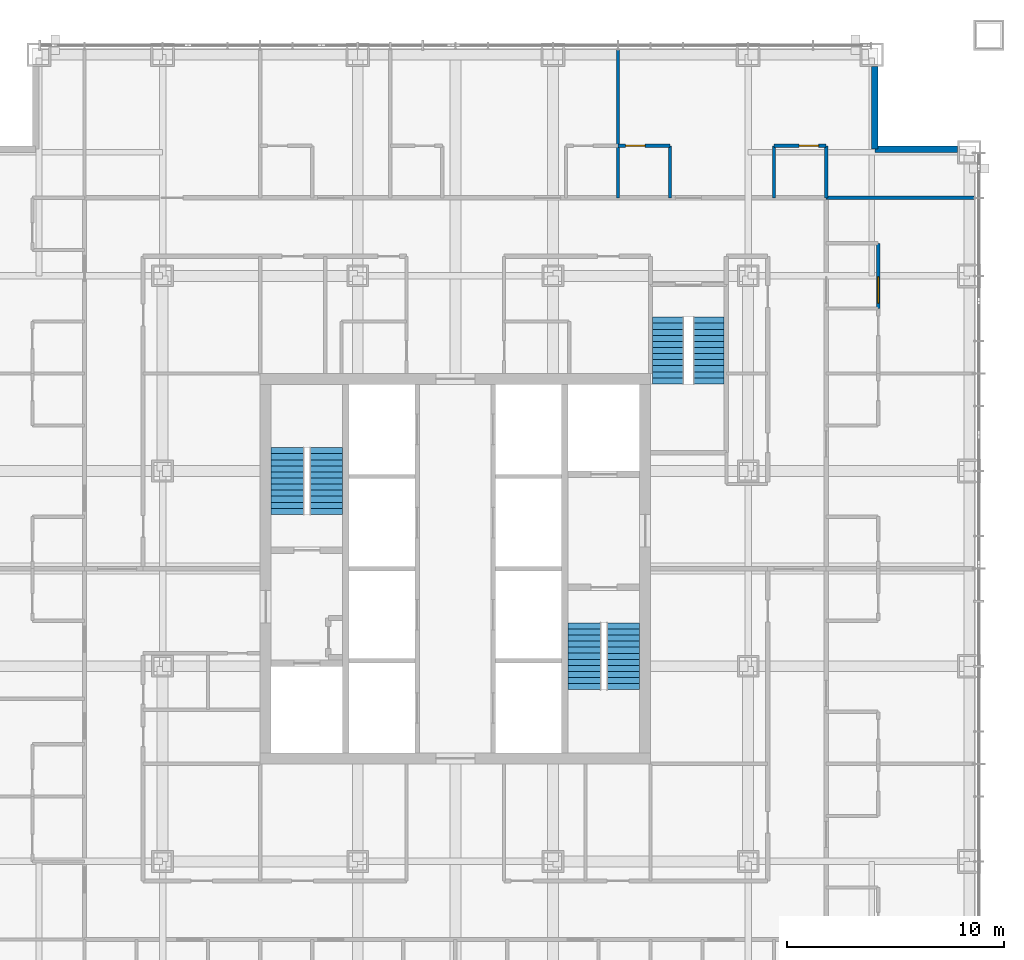
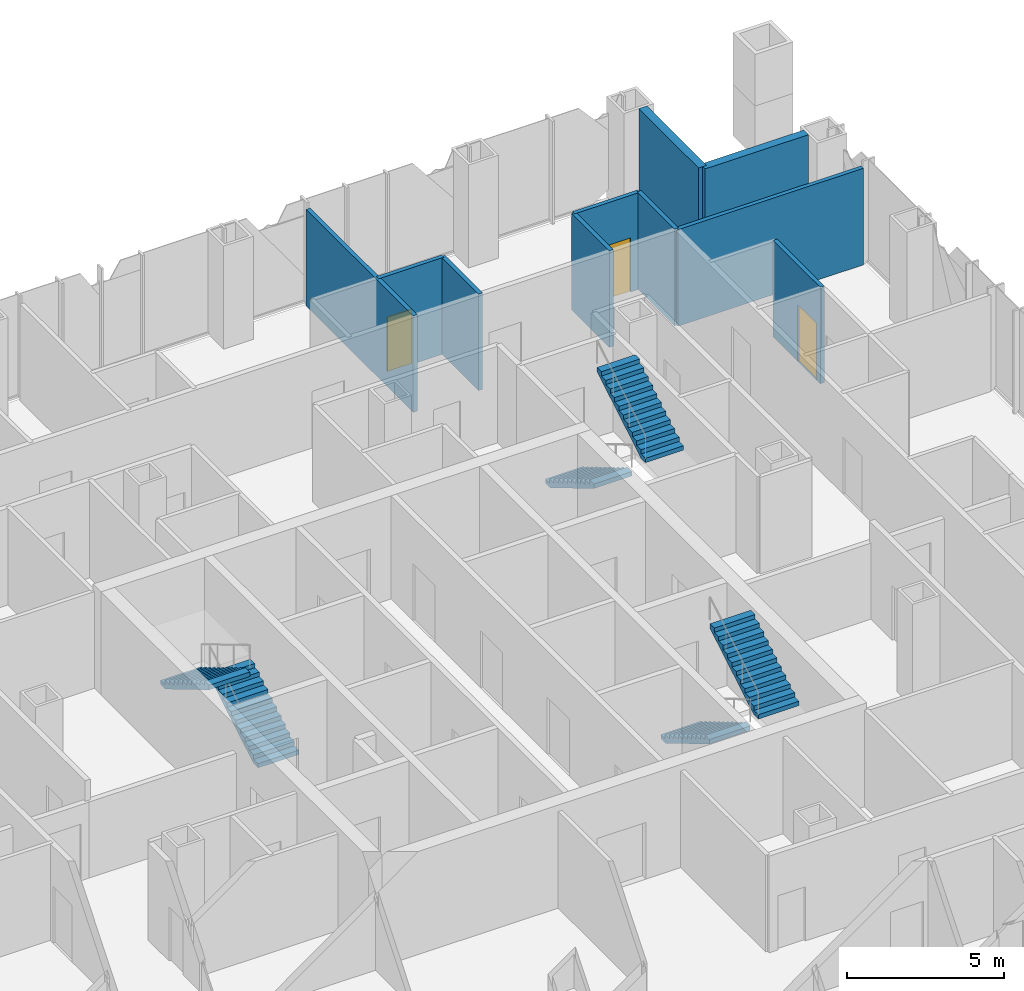
# One storey, part 13 of 23: 10 walls, 6 stair flights, 3 doors, 3 openings, 3 elements without a shape of their own.
"""IFC4 building model written with IfcOpenShell, lengths in metres."""

from ifc_helpers import new_model, si_unit, direction, frame, frame_2d, origin, place, context, subcontext, project, spatial, polyline, rectangle, outline, extrude, material, layer, layer_set, type_object, element, fill, aggregate, save


model = new_model("IFC4")

# Units and contexts
model_context = context("Model", 3, precision=1e-05, world=origin(), true_north=direction((0.0, 1.0)))
body_context = subcontext(model_context, "Body", "Model", "MODEL_VIEW")
ifc_project = project(units=[si_unit("LENGTHUNIT", "METRE"), si_unit("AREAUNIT", "SQUARE_METRE"), si_unit("VOLUMEUNIT", "CUBIC_METRE"), si_unit("PLANEANGLEUNIT", "RADIAN"), si_unit("MASSUNIT", "GRAM", prefix="KILO")], contexts=[model_context])

# Site, building, storey
site_placement = place(None, origin())
site = spatial("IfcSite", under=ifc_project, at=site_placement, CompositionType="ELEMENT")
building_placement = place(site_placement, origin())
building = spatial("IfcBuilding", under=site, at=building_placement, Name="Malebo Sky Hospital", CompositionType="ELEMENT")
storey_placement = place(building_placement, frame((0.0, 0.0, 168.0)))
storey = spatial("IfcBuildingStorey", under=building, at=storey_placement, Name="L40", CompositionType="ELEMENT", Elevation=168.0)

# Walls
ifc_material_1 = material(Name="Anodised aluminium rainscreen on steel framing", Category="steel")
ifc_layer_1 = layer(ifc_material_1, 0.300048828125)
ifc_layer_set_1 = layer_set([ifc_layer_1], Name="NOTCH RAINSCREEN WALL 300")
wall_type_1 = type_object("IfcWallType", Name="NOTCH RAINSCREEN WALL 300", PredefinedType="ELEMENTEDWALL", material=ifc_layer_set_1)
for number, where, z_axis, x_axis, name in (
    (1, (79.35009765625, 85.14990234375, 0.0), (0.0, 0.0, 1.0), (0.0, -1.0, 0.0), "Notch rainscreen wall N1 L40"),
    (2, (79.35009765625, 81.35009765625, 0.0), (0.0, 0.0, 1.0), (1.0, 0.0, 0.0), "Notch rainscreen wall N2 L40"),
):
    element("IfcWall", number, at=place(storey_placement, frame(where, z_axis=z_axis, x_axis=x_axis)), inside=storey, type_object=wall_type_1, Name=name, PredefinedType="ELEMENTEDWALL", context=body_context, shape_type="SweptSolid", body=[
        extrude(rectangle(XDim=3.7998046875, YDim=0.300048828125, at=frame_2d((1.89990234375, 0.0))), origin(), (0.0, 0.0, 1.0), 4.0),
    ])
ifc_material_2 = material(Name="Gypsum board on steel studs", Category="steel")
ifc_layer_2 = layer(ifc_material_2, 0.14990234375)
ifc_layer_set_2 = layer_set([ifc_layer_2], Name="PARTITION 150")
wall_type_2 = type_object("IfcWallType", Name="PARTITION 150", PredefinedType="PARTITIONING", material=ifc_layer_set_2)
wall_1_placement = place(storey_placement, frame((67.5, 79.10009765625, 0.0), z_axis=(0.0, 0.0, 1.0), x_axis=(0.0, 1.0, 0.0)))
element("IfcWall", 3, at=wall_1_placement, inside=storey, type_object=wall_type_2, Name="Partition 150 NP+7.5", PredefinedType="PARTITIONING", context=body_context, shape_type="SweptSolid", body=[
    extrude(rectangle(XDim=6.809814453125, YDim=0.14990234375, at=frame_2d((3.40478515625, 0.0))), origin(), (0.0, 0.0, 1.0), 3.75),
])

# Wall, opening, door
wall_2_placement = place(storey_placement, frame((67.5, 81.5, 0.0), z_axis=(0.0, 0.0, 1.0), x_axis=(1.0, 0.0, 0.0)))
wall_2 = element("IfcWall", 4, at=wall_2_placement, inside=storey, type_object=wall_type_2, Name="Partition 150 NE3F", PredefinedType="PARTITIONING", context=body_context, shape_type="SweptSolid", body=[
    extrude(rectangle(XDim=2.39990234375, YDim=0.14990234375, at=frame_2d((1.199951171875, 0.0))), origin(), (0.0, 0.0, 1.0), 3.75),
])
opening_1_placement = place(wall_2_placement, frame((0.35009765625, 0.0, 0.0)))
opening_1 = element("IfcOpeningElement", 5, at=opening_1_placement, cuts=wall_2, Name="Opening D02", PredefinedType="OPENING", context=body_context, shape_type="SweptSolid", body=[
    extrude(rectangle(XDim=0.89990234375, YDim=2.10009765625, at=frame_2d((0.449951171875, 1.050048828125))), frame((0.0, 0.0849609375, 0.0), z_axis=(0.0, -1.0, 0.0), x_axis=(1.0, 0.0, 0.0)), (0.0, 0.0, 1.0), 0.169921875),
])
ifc_material_3 = material(Name="Hardwood-faced door leaf in steel frame", Category="steel")
door_type_1 = type_object("IfcDoorType", Name="EN-SUITE DOOR 900", OperationType="SINGLE_SWING_LEFT", PredefinedType="DOOR", material=ifc_material_3)
door_1_placement = place(opening_1_placement, origin())
door_1 = element("IfcDoor", 6, at=door_1_placement, inside=storey, type_object=door_type_1, Name="En-suite door", OperationType="SINGLE_SWING_LEFT", OverallHeight=2.10009765625, OverallWidth=0.89990234375, PredefinedType="DOOR", context=body_context, shape_type="SweptSolid", body=[
    extrude(rectangle(XDim=0.89990234375, YDim=2.10009765625, at=frame_2d((0.449951171875, 1.050048828125))), frame((0.0, 0.02490234375, 0.0), z_axis=(0.0, -1.0, 0.0), x_axis=(1.0, 0.0, 0.0)), (0.0, 0.0, 1.0), 0.050048828125),
])
fill(opening_1, door_1)

# Wall
wall_3_placement = place(storey_placement, frame((69.89990234375, 79.10009765625, 0.0), z_axis=(0.0, 0.0, 1.0), x_axis=(0.0, 1.0, 0.0)))
element("IfcWall", 7, at=wall_3_placement, inside=storey, type_object=wall_type_2, Name="Partition 150 NE3S", PredefinedType="PARTITIONING", context=body_context, shape_type="SweptSolid", body=[
    extrude(rectangle(XDim=2.39990234375, YDim=0.14990234375, at=frame_2d((1.199951171875, 0.0))), origin(), (0.0, 0.0, 1.0), 3.75),
])

# Wall, opening, door
wall_4_placement = place(storey_placement, frame((74.699951171875, 81.5, 0.0), z_axis=(0.0, 0.0, 1.0), x_axis=(1.0, 0.0, 0.0)))
wall_4 = element("IfcWall", 8, at=wall_4_placement, inside=storey, type_object=wall_type_2, Name="Partition 150 NG3F", PredefinedType="PARTITIONING", context=body_context, shape_type="SweptSolid", body=[
    extrude(rectangle(XDim=2.400146484375, YDim=0.14990234375, at=frame_2d((1.2001953125, 0.0))), origin(), (0.0, 0.0, 1.0), 3.75),
])
opening_2_placement = place(wall_4_placement, frame((1.14990234375, 0.0, 0.0)))
opening_2 = element("IfcOpeningElement", 9, at=opening_2_placement, cuts=wall_4, Name="Opening D02", PredefinedType="OPENING", context=body_context, shape_type="SweptSolid", body=[
    extrude(rectangle(XDim=0.89990234375, YDim=2.10009765625, at=frame_2d((0.449951171875, 1.050048828125))), frame((0.0, 0.0849609375, 0.0), z_axis=(0.0, -1.0, 0.0), x_axis=(1.0, 0.0, 0.0)), (0.0, 0.0, 1.0), 0.169921875),
])
door_2_placement = place(opening_2_placement, origin())
door_2 = element("IfcDoor", 10, at=door_2_placement, inside=storey, type_object=door_type_1, Name="En-suite door", OperationType="SINGLE_SWING_RIGHT", OverallHeight=2.10009765625, OverallWidth=0.89990234375, PredefinedType="DOOR", context=body_context, shape_type="SweptSolid", body=[
    extrude(rectangle(XDim=0.89990234375, YDim=2.10009765625, at=frame_2d((0.449951171875, 1.050048828125))), frame((0.0, 0.02490234375, 0.0), z_axis=(0.0, -1.0, 0.0), x_axis=(1.0, 0.0, 0.0)), (0.0, 0.0, 1.0), 0.050048828125),
])
fill(opening_2, door_2)

# Walls
for number, where, z_axis, x_axis, name in (
    (11, (74.699951171875, 79.10009765625, 0.0), (0.0, 0.0, 1.0), (0.0, 1.0, 0.0), "Partition 150 NG3S"),
    (12, (77.10009765625, 79.10009765625, 0.0), (0.0, 0.0, 1.0), (0.0, 1.0, 0.0), "Partition 150 NEZ"),
):
    element("IfcWall", number, at=place(storey_placement, frame(where, z_axis=z_axis, x_axis=x_axis)), inside=storey, type_object=wall_type_2, Name=name, PredefinedType="PARTITIONING", context=body_context, shape_type="SweptSolid", body=[
        extrude(rectangle(XDim=2.39990234375, YDim=0.14990234375, at=frame_2d((1.199951171875, 0.0))), origin(), (0.0, 0.0, 1.0), 3.75),
    ])
wall_5_placement = place(storey_placement, frame((77.10009765625, 79.10009765625, 0.0), z_axis=(0.0, 0.0, 1.0), x_axis=(1.0, 0.0, 0.0)))
element("IfcWall", 13, at=wall_5_placement, inside=storey, type_object=wall_type_2, Name="Partition 150 EP0", PredefinedType="PARTITIONING", context=body_context, shape_type="SweptSolid", body=[
    extrude(rectangle(XDim=6.809814453125, YDim=0.14990234375, at=frame_2d((3.40478515625, 0.0))), origin(), (0.0, 0.0, 1.0), 3.75),
])

# Wall, opening, door
ifc_material_4 = material(Name="Sealed gypsum board on steel studs, taped to the slab", Category="steel")
ifc_layer_3 = layer(ifc_material_4, 0.14990234375)
ifc_layer_set_3 = layer_set([ifc_layer_3], Name="SEALED ISOLATION PARTITION 150")
wall_type_3 = type_object("IfcWallType", Name="SEALED ISOLATION PARTITION 150", PredefinedType="PARTITIONING", material=ifc_layer_set_3)
wall_6_placement = place(storey_placement, frame((79.5, 77.0, 0.0), z_axis=(0.0, 0.0, 1.0), x_axis=(0.0, -1.0, 0.0)))
wall_6 = element("IfcWall", 14, at=wall_6_placement, inside=storey, type_object=wall_type_3, Name="Sealed Isolation Partition 150 EA0F", PredefinedType="PARTITIONING", context=body_context, shape_type="SweptSolid", body=[
    extrude(rectangle(XDim=3.0, YDim=0.14990234375, at=frame_2d((1.5, 0.0))), origin(), (0.0, 0.0, 1.0), 3.75),
])
opening_3_placement = place(wall_6_placement, frame((1.550048828125, 0.0, 0.0)))
opening_3 = element("IfcOpeningElement", 15, at=opening_3_placement, cuts=wall_6, Name="Opening D19", PredefinedType="OPENING", context=body_context, shape_type="SweptSolid", body=[
    extrude(rectangle(XDim=1.199951171875, YDim=2.199951171875, at=frame_2d((0.60009765625, 1.10009765625))), frame((0.0, 0.0849609375, 0.0), z_axis=(0.0, -1.0, 0.0), x_axis=(1.0, 0.0, 0.0)), (0.0, 0.0, 1.0), 0.169921875),
])
ifc_material_5 = material(Name="Hardwood-faced door leaf with perimeter seals in steel frame", Category="steel")
door_type_2 = type_object("IfcDoorType", Name="SEALED ISOLATION ROOM DOOR 1200", OperationType="SINGLE_SWING_LEFT", PredefinedType="DOOR", material=ifc_material_5)
door_3_placement = place(opening_3_placement, origin())
door_3 = element("IfcDoor", 16, at=door_3_placement, inside=storey, type_object=door_type_2, Name="Isolation room door", OperationType="SINGLE_SWING_RIGHT", OverallHeight=2.199951171875, OverallWidth=1.199951171875, PredefinedType="DOOR", context=body_context, shape_type="SweptSolid", body=[
    extrude(rectangle(XDim=1.199951171875, YDim=2.199951171875, at=frame_2d((0.60009765625, 1.10009765625))), frame((0.0, 0.02490234375, 0.0), z_axis=(0.0, -1.0, 0.0), x_axis=(1.0, 0.0, 0.0)), (0.0, 0.0, 1.0), 0.050048828125),
])
fill(opening_3, door_3)

# Stair, stair flights
ifc_material_6 = material(Name="Concrete C40/50", Category="concrete")
stair_type_1 = type_object("IfcStairType", Name="HALF-TURN STAIR 1400 R167", PredefinedType="HALF_TURN_STAIR", material=ifc_material_6)
stair_1_placement = place(storey_placement, origin())
stair_1 = element("IfcStair", 17, at=stair_1_placement, inside=storey, type_object=stair_type_1, Name="Stair S3 L40 type ST1B", PredefinedType="HALF_TURN_STAIR")
stair_flight_type_1 = type_object("IfcStairFlightType", Name="STAIR FLIGHT 1400 R167", PredefinedType="STRAIGHT", material=ifc_material_6)
stair_flight_1_placement = place(storey_placement, frame((69.800048828125, 73.60009765625, 0.0), z_axis=(0.0, 0.0, 1.0), x_axis=(0.0, -1.0, 0.0)))
stair_flight_1 = element("IfcStairFlight", 18, at=stair_flight_1_placement, type_object=stair_flight_type_1, Name="S3 flight 1 type SF1B", NumberOfRisers=12, NumberOfTreads=11, PredefinedType="STRAIGHT", RiserHeight=0.166666667, TreadLength=0.28, context=body_context, shape_type="SweptSolid", body=[
    extrude(outline(polyline([(0.0, 0.0), (0.0, 0.166748046875), (0.280029296875, 0.166748046875), (0.280029296875, 0.333251953125), (0.56005859375, 0.333251953125), (0.56005859375, 0.5), (0.840087890625, 0.5), (0.840087890625, 0.666748046875), (1.1201171875, 0.666748046875), (1.1201171875, 0.833251953125), (1.39990234375, 0.833251953125), (1.39990234375, 1.0), (1.679931640625, 1.0), (1.679931640625, 1.166748046875), (1.9599609375, 1.166748046875), (1.9599609375, 1.333251953125), (2.239990234375, 1.333251953125), (2.239990234375, 1.5), (2.52001953125, 1.5), (2.52001953125, 1.666748046875), (2.800048828125, 1.666748046875), (2.800048828125, 1.833251953125), (3.080078125, 1.833251953125), (3.080078125, 2.0), (3.080078125, 1.658935546875), (0.29296875, 0.0), (0.0, 0.0)])), frame((0.0, 0.699951171875, 0.0), z_axis=(0.0, -1.0, 0.0), x_axis=(1.0, 0.0, 0.0)), (0.0, 0.0, 1.0), 1.39990234375),
])
stair_flight_2_placement = place(storey_placement, frame((71.699951171875, 70.52001953125, 2.0), z_axis=(0.0, 0.0, 1.0), x_axis=(0.0, 1.0, 0.0)))
stair_flight_2 = element("IfcStairFlight", 19, at=stair_flight_2_placement, type_object=stair_flight_type_1, Name="S3 flight 2 type SF1B", NumberOfRisers=12, NumberOfTreads=11, PredefinedType="STRAIGHT", RiserHeight=0.166666667, TreadLength=0.28, context=body_context, shape_type="SweptSolid", body=[
    extrude(outline(polyline([(0.0, 0.0), (0.0, 0.166748046875), (0.280029296875, 0.166748046875), (0.280029296875, 0.333251953125), (0.56005859375, 0.333251953125), (0.56005859375, 0.5), (0.840087890625, 0.5), (0.840087890625, 0.666748046875), (1.1201171875, 0.666748046875), (1.1201171875, 0.833251953125), (1.39990234375, 0.833251953125), (1.39990234375, 1.0), (1.679931640625, 1.0), (1.679931640625, 1.166748046875), (1.9599609375, 1.166748046875), (1.9599609375, 1.333251953125), (2.239990234375, 1.333251953125), (2.239990234375, 1.5), (2.52001953125, 1.5), (2.52001953125, 1.666748046875), (2.800048828125, 1.666748046875), (2.800048828125, 1.833251953125), (3.080078125, 1.833251953125), (3.080078125, 2.0), (3.080078125, 1.658935546875), (0.29296875, 0.0), (0.0, 0.0)])), frame((0.0, 0.699951171875, 0.0), z_axis=(0.0, -1.0, 0.0), x_axis=(1.0, 0.0, 0.0)), (0.0, 0.0, 1.0), 1.39990234375),
])
aggregate(stair_1, [stair_flight_1, stair_flight_2])

stair_type_2 = type_object("IfcStairType", Name="HALF-TURN STAIR 1500 R167", PredefinedType="HALF_TURN_STAIR", material=ifc_material_6)
stair_2_placement = place(storey_placement, origin())
stair_2 = element("IfcStair", 20, at=stair_2_placement, inside=storey, type_object=stair_type_2, Name="Stair S1 L40 type ST1", PredefinedType="HALF_TURN_STAIR")
stair_flight_type_2 = type_object("IfcStairFlightType", Name="STAIR FLIGHT 1500 R167", PredefinedType="STRAIGHT", material=ifc_material_6)
stair_flight_3_placement = place(storey_placement, frame((54.050048828125, 64.5, 0.0), z_axis=(0.0, 0.0, 1.0), x_axis=(0.0, 1.0, 0.0)))
stair_flight_3 = element("IfcStairFlight", 21, at=stair_flight_3_placement, type_object=stair_flight_type_2, Name="S1 flight 1 type SF1", NumberOfRisers=12, NumberOfTreads=11, PredefinedType="STRAIGHT", RiserHeight=0.166666667, TreadLength=0.28, context=body_context, shape_type="SweptSolid", body=[
    extrude(outline(polyline([(0.0, 0.0), (0.0, 0.166748046875), (0.280029296875, 0.166748046875), (0.280029296875, 0.333251953125), (0.56005859375, 0.333251953125), (0.56005859375, 0.5), (0.840087890625, 0.5), (0.840087890625, 0.666748046875), (1.1201171875, 0.666748046875), (1.1201171875, 0.833251953125), (1.39990234375, 0.833251953125), (1.39990234375, 1.0), (1.679931640625, 1.0), (1.679931640625, 1.166748046875), (1.9599609375, 1.166748046875), (1.9599609375, 1.333251953125), (2.239990234375, 1.333251953125), (2.239990234375, 1.5), (2.52001953125, 1.5), (2.52001953125, 1.666748046875), (2.800048828125, 1.666748046875), (2.800048828125, 1.833251953125), (3.080078125, 1.833251953125), (3.080078125, 2.0), (3.080078125, 1.658935546875), (0.29296875, 0.0), (0.0, 0.0)])), frame((0.0, 0.75, 0.0), z_axis=(0.0, -1.0, 0.0), x_axis=(1.0, 0.0, 0.0)), (0.0, 0.0, 1.0), 1.5),
])
stair_flight_4_placement = place(storey_placement, frame((52.25, 67.580078125, 2.0), z_axis=(0.0, 0.0, 1.0), x_axis=(0.0, -1.0, 0.0)))
stair_flight_4 = element("IfcStairFlight", 22, at=stair_flight_4_placement, type_object=stair_flight_type_2, Name="S1 flight 2 type SF1", NumberOfRisers=12, NumberOfTreads=11, PredefinedType="STRAIGHT", RiserHeight=0.166666667, TreadLength=0.28, context=body_context, shape_type="SweptSolid", body=[
    extrude(outline(polyline([(0.0, 0.0), (0.0, 0.166748046875), (0.280029296875, 0.166748046875), (0.280029296875, 0.333251953125), (0.56005859375, 0.333251953125), (0.56005859375, 0.5), (0.840087890625, 0.5), (0.840087890625, 0.666748046875), (1.1201171875, 0.666748046875), (1.1201171875, 0.833251953125), (1.39990234375, 0.833251953125), (1.39990234375, 1.0), (1.679931640625, 1.0), (1.679931640625, 1.166748046875), (1.9599609375, 1.166748046875), (1.9599609375, 1.333251953125), (2.239990234375, 1.333251953125), (2.239990234375, 1.5), (2.52001953125, 1.5), (2.52001953125, 1.666748046875), (2.800048828125, 1.666748046875), (2.800048828125, 1.833251953125), (3.080078125, 1.833251953125), (3.080078125, 2.0), (3.080078125, 1.658935546875), (0.29296875, 0.0), (0.0, 0.0)])), frame((0.0, 0.75, 0.0), z_axis=(0.0, -1.0, 0.0), x_axis=(1.0, 0.0, 0.0)), (0.0, 0.0, 1.0), 1.5),
])
aggregate(stair_2, [stair_flight_3, stair_flight_4])

stair_3_placement = place(storey_placement, origin())
stair_3 = element("IfcStair", 23, at=stair_3_placement, inside=storey, type_object=stair_type_2, Name="Stair S2 L40 type ST1", PredefinedType="HALF_TURN_STAIR")
stair_flight_5_placement = place(storey_placement, frame((65.949951171875, 59.5, 0.0), z_axis=(0.0, 0.0, 1.0), x_axis=(0.0, -1.0, 0.0)))
stair_flight_5 = element("IfcStairFlight", 24, at=stair_flight_5_placement, type_object=stair_flight_type_2, Name="S2 flight 1 type SF1", NumberOfRisers=12, NumberOfTreads=11, PredefinedType="STRAIGHT", RiserHeight=0.166666667, TreadLength=0.28, context=body_context, shape_type="SweptSolid", body=[
    extrude(outline(polyline([(0.0, 0.0), (0.0, 0.166748046875), (0.280029296875, 0.166748046875), (0.280029296875, 0.333251953125), (0.56005859375, 0.333251953125), (0.56005859375, 0.5), (0.840087890625, 0.5), (0.840087890625, 0.666748046875), (1.1201171875, 0.666748046875), (1.1201171875, 0.833251953125), (1.39990234375, 0.833251953125), (1.39990234375, 1.0), (1.679931640625, 1.0), (1.679931640625, 1.166748046875), (1.9599609375, 1.166748046875), (1.9599609375, 1.333251953125), (2.239990234375, 1.333251953125), (2.239990234375, 1.5), (2.52001953125, 1.5), (2.52001953125, 1.666748046875), (2.800048828125, 1.666748046875), (2.800048828125, 1.833251953125), (3.080078125, 1.833251953125), (3.080078125, 2.0), (3.080078125, 1.658935546875), (0.29296875, 0.0), (0.0, 0.0)])), frame((0.0, 0.75, 0.0), z_axis=(0.0, -1.0, 0.0), x_axis=(1.0, 0.0, 0.0)), (0.0, 0.0, 1.0), 1.5),
])
stair_flight_6_placement = place(storey_placement, frame((67.75, 56.419921875, 2.0), z_axis=(0.0, 0.0, 1.0), x_axis=(0.0, 1.0, 0.0)))
stair_flight_6 = element("IfcStairFlight", 25, at=stair_flight_6_placement, type_object=stair_flight_type_2, Name="S2 flight 2 type SF1", NumberOfRisers=12, NumberOfTreads=11, PredefinedType="STRAIGHT", RiserHeight=0.166666667, TreadLength=0.28, context=body_context, shape_type="SweptSolid", body=[
    extrude(outline(polyline([(0.0, 0.0), (0.0, 0.166748046875), (0.280029296875, 0.166748046875), (0.280029296875, 0.333251953125), (0.56005859375, 0.333251953125), (0.56005859375, 0.5), (0.840087890625, 0.5), (0.840087890625, 0.666748046875), (1.1201171875, 0.666748046875), (1.1201171875, 0.833251953125), (1.39990234375, 0.833251953125), (1.39990234375, 1.0), (1.679931640625, 1.0), (1.679931640625, 1.166748046875), (1.9599609375, 1.166748046875), (1.9599609375, 1.333251953125), (2.239990234375, 1.333251953125), (2.239990234375, 1.5), (2.52001953125, 1.5), (2.52001953125, 1.666748046875), (2.800048828125, 1.666748046875), (2.800048828125, 1.833251953125), (3.080078125, 1.833251953125), (3.080078125, 2.0), (3.080078125, 1.658935546875), (0.29296875, 0.0), (0.0, 0.0)])), frame((0.0, 0.75, 0.0), z_axis=(0.0, -1.0, 0.0), x_axis=(1.0, 0.0, 0.0)), (0.0, 0.0, 1.0), 1.5),
])
aggregate(stair_3, [stair_flight_5, stair_flight_6])

save(model, "model.ifc")
